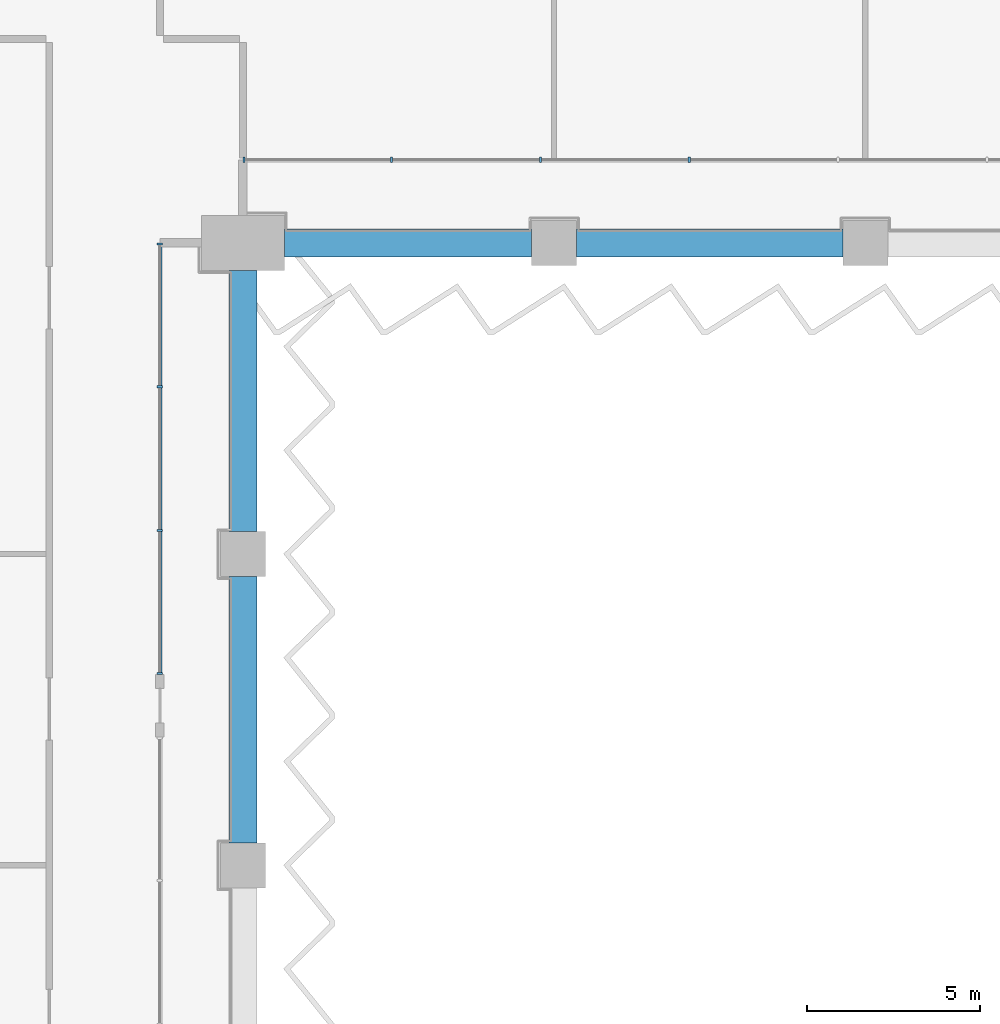
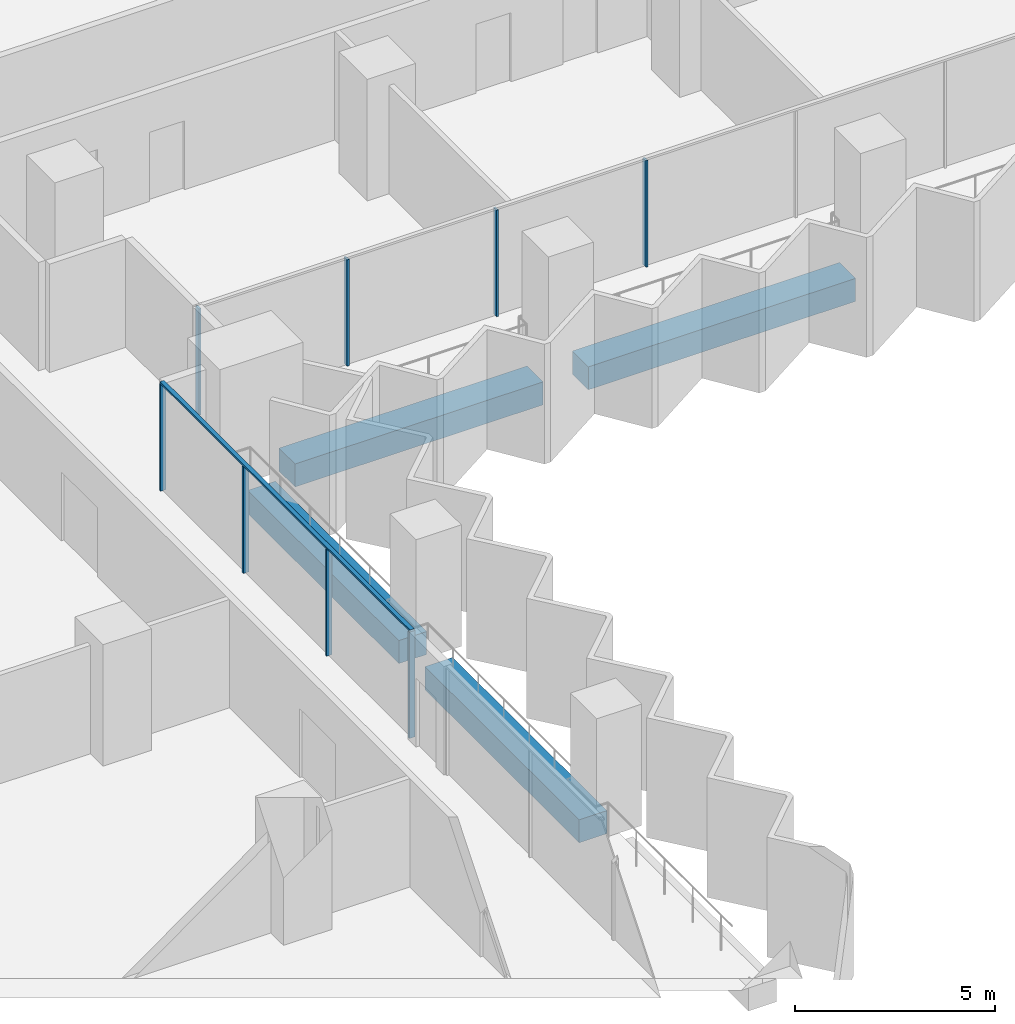
# One storey, part 4 of 28: 9 members, 4 beams, 2 elements without a shape of their own.
"""IFC4 building model written with IfcOpenShell, lengths in metres."""

from ifc_helpers import new_model, si_unit, direction, frame, origin, origin_2d, place, context, subcontext, project, spatial, rectangle, extrude, material, material_profile, profile_set, type_object, element, aggregate, save


model = new_model("IFC4")

# Units and contexts
model_context = context("Model", 3, precision=1e-05, world=origin(), true_north=direction((0.0, 1.0)))
body_context = subcontext(model_context, "Body", "Model", "MODEL_VIEW")
ifc_project = project(units=[si_unit("LENGTHUNIT", "METRE"), si_unit("AREAUNIT", "SQUARE_METRE"), si_unit("VOLUMEUNIT", "CUBIC_METRE"), si_unit("PLANEANGLEUNIT", "RADIAN"), si_unit("MASSUNIT", "GRAM", prefix="KILO")], contexts=[model_context])

# Site, building, storey
site_placement = place(None, origin())
site = spatial("IfcSite", under=ifc_project, at=site_placement, CompositionType="ELEMENT")
building_placement = place(site_placement, origin())
building = spatial("IfcBuilding", under=site, at=building_placement, Name="Hunhe Ridgeline Campus", CompositionType="ELEMENT")
storey_placement = place(building_placement, frame((0.0, 0.0, 72.800048828125)))
storey = spatial("IfcBuildingStorey", under=building, at=storey_placement, Name="L17", CompositionType="ELEMENT", Elevation=72.800048828125)

# Curtain wall, members
ifc_material_1 = material(Name="Aluminium 6063", Category="aluminium")
curtain_wall_type = type_object("IfcCurtainWallType", Name="Curtain wall CW-1", PredefinedType="NOTDEFINED", material=ifc_material_1)
curtain_wall_1_placement = place(storey_placement, origin())
curtain_wall_1 = element("IfcCurtainWall", 1, at=curtain_wall_1_placement, inside=storey, type_object=curtain_wall_type, Name="Curtain wall 12", PredefinedType="NOTDEFINED")
ifc_material_profile_1 = material_profile(ifc_material_1, rectangle(XDim=0.159912109375, YDim=0.06005859375, at=origin_2d()))
ifc_profile_set_1 = profile_set([ifc_material_profile_1], Name="Aluminium 6063")
member_type_1 = type_object("IfcMemberType", Name="CW-1 aluminium mullion", PredefinedType="MULLION", material=ifc_profile_set_1)
member_1_placement = place(storey_placement, frame((42.59912109375, 41.54833984375, 0.0), z_axis=(0.0, 0.0, 1.0), x_axis=(-1.0, 1.60239e-07, 0.0)))
member_1 = element("IfcMember", 2, at=member_1_placement, type_object=member_type_1, Name="CW-1 mullion 1", PredefinedType="MULLION", context=body_context, shape_type="SweptSolid", body=[
    extrude(rectangle(XDim=0.159912109375, YDim=0.06005859375, at=origin_2d()), origin(), (0.0, 0.0, 1.0), 3.239990234375),
])
member_2_placement = place(storey_placement, frame((42.59912109375, 45.678955078125, 0.0), z_axis=(0.0, 0.0, 1.0), x_axis=(-1.0, 1.60239e-07, 0.0)))
member_2 = element("IfcMember", 3, at=member_2_placement, type_object=member_type_1, Name="CW-1 mullion 2", PredefinedType="MULLION", context=body_context, shape_type="SweptSolid", body=[
    extrude(rectangle(XDim=0.159912109375, YDim=0.06005859375, at=origin_2d()), origin(), (0.0, 0.0, 1.0), 3.239990234375),
])
member_3_placement = place(storey_placement, frame((42.59912109375, 49.839599609375, 0.0), z_axis=(0.0, 0.0, 1.0), x_axis=(-1.0, 1.60239e-07, 0.0)))
member_3 = element("IfcMember", 4, at=member_3_placement, type_object=member_type_1, Name="CW-1 mullion 3", PredefinedType="MULLION", context=body_context, shape_type="SweptSolid", body=[
    extrude(rectangle(XDim=0.159912109375, YDim=0.06005859375, at=origin_2d()), origin(), (0.0, 0.0, 1.0), 3.239990234375),
])
member_4_placement = place(storey_placement, frame((42.59912109375, 53.97021484375, 0.0), z_axis=(0.0, 0.0, 1.0), x_axis=(-1.0, 1.60239e-07, 0.0)))
member_4 = element("IfcMember", 5, at=member_4_placement, type_object=member_type_1, Name="CW-1 mullion 4", PredefinedType="MULLION", context=body_context, shape_type="SweptSolid", body=[
    extrude(rectangle(XDim=0.159912109375, YDim=0.06005859375, at=origin_2d()), origin(), (0.0, 0.0, 1.0), 3.239990234375),
])

curtain_wall_2_placement = place(storey_placement, origin())
curtain_wall_2 = element("IfcCurtainWall", 6, at=curtain_wall_2_placement, inside=storey, type_object=curtain_wall_type, Name="Curtain wall 13", PredefinedType="NOTDEFINED")
member_5_placement = place(storey_placement, frame((45.029541015625, 56.40087890625, 0.0), z_axis=(0.0, 0.0, 1.0), x_axis=(-3.602063e-06, 0.999999999994, 0.0)))
member_5 = element("IfcMember", 7, at=member_5_placement, type_object=member_type_1, Name="CW-1 mullion 1", PredefinedType="MULLION", context=body_context, shape_type="SweptSolid", body=[
    extrude(rectangle(XDim=0.159912109375, YDim=0.06005859375, at=origin_2d()), origin(), (0.0, 0.0, 1.0), 3.239990234375),
])
member_6_placement = place(storey_placement, frame((49.302490234375, 56.40087890625, 0.0), z_axis=(0.0, 0.0, 1.0), x_axis=(-3.602063e-06, 0.999999999994, 0.0)))
member_6 = element("IfcMember", 8, at=member_6_placement, type_object=member_type_1, Name="CW-1 mullion 2", PredefinedType="MULLION", context=body_context, shape_type="SweptSolid", body=[
    extrude(rectangle(XDim=0.159912109375, YDim=0.06005859375, at=origin_2d()), origin(), (0.0, 0.0, 1.0), 3.239990234375),
])
member_7_placement = place(storey_placement, frame((53.605712890625, 56.40087890625, 0.0), z_axis=(0.0, 0.0, 1.0), x_axis=(-3.602063e-06, 0.999999999994, 0.0)))
member_7 = element("IfcMember", 9, at=member_7_placement, type_object=member_type_1, Name="CW-1 mullion 3", PredefinedType="MULLION", context=body_context, shape_type="SweptSolid", body=[
    extrude(rectangle(XDim=0.159912109375, YDim=0.06005859375, at=origin_2d()), origin(), (0.0, 0.0, 1.0), 3.239990234375),
])
member_8_placement = place(storey_placement, frame((57.90869140625, 56.40087890625, 0.0), z_axis=(0.0, 0.0, 1.0), x_axis=(-3.602063e-06, 0.999999999994, 0.0)))
member_8 = element("IfcMember", 10, at=member_8_placement, type_object=member_type_1, Name="CW-1 mullion 4", PredefinedType="MULLION", context=body_context, shape_type="SweptSolid", body=[
    extrude(rectangle(XDim=0.159912109375, YDim=0.06005859375, at=origin_2d()), origin(), (0.0, 0.0, 1.0), 3.239990234375),
])
aggregate(curtain_wall_2, [member_5, member_6, member_7, member_8])

# Member
ifc_material_profile_2 = material_profile(ifc_material_1, rectangle(XDim=0.1201171875, YDim=0.06005859375, at=origin_2d()))
ifc_profile_set_2 = profile_set([ifc_material_profile_2], Name="Aluminium 6063")
member_type_2 = type_object("IfcMemberType", Name="CW-1 aluminium transom", PredefinedType="USERDEFINED", material=ifc_profile_set_2)
member_9_placement = place(storey_placement, frame((42.59912109375, 41.518310546875, 3.27001953125), z_axis=(0.0, 1.0, 0.0), x_axis=(-1.0, 0.0, 0.0)))
member_9 = element("IfcMember", 11, at=member_9_placement, type_object=member_type_2, Name="CW-1 transom 1", ObjectType="TRANSOM", PredefinedType="USERDEFINED", context=body_context, shape_type="SweptSolid", body=[
    extrude(rectangle(XDim=0.1201171875, YDim=0.06005859375, at=origin_2d()), origin(), (0.0, 0.0, 1.0), 12.481689453125),
])

aggregate(curtain_wall_1, [member_9, member_1, member_2, member_3, member_4])

# Beams
ifc_material_2 = material(Name="Concrete C60", Category="concrete")
ifc_material_profile_3 = material_profile(ifc_material_2, rectangle(XDim=0.800048828125, YDim=0.699951171875, at=origin_2d()))
ifc_profile_set_3 = profile_set([ifc_material_profile_3], Name="Concrete C60")
beam_type = type_object("IfcBeamType", Name="RC spandrel beam 800x700 Concrete C60", PredefinedType="SPANDREL", material=ifc_profile_set_3)
beam_1_placement = place(storey_placement, frame((45.0, 36.64990234375, -0.60009765625), z_axis=(0.0, 1.0, 0.0), x_axis=(-1.0, 0.0, 0.0)))
element("IfcBeam", 12, at=beam_1_placement, inside=storey, type_object=beam_type, Name="Spandrel beam B1-10 L17", PredefinedType="SPANDREL", context=body_context, shape_type="SweptSolid", body=[
    extrude(rectangle(XDim=0.800048828125, YDim=0.699951171875, at=origin_2d()), origin(), (0.0, 0.0, 1.0), 7.7001953125),
])
beam_2_placement = place(storey_placement, frame((45.0, 45.64990234375, -0.60009765625), z_axis=(0.0, 1.0, 0.0), x_axis=(-1.0, 0.0, 0.0)))
element("IfcBeam", 13, at=beam_2_placement, inside=storey, type_object=beam_type, Name="Spandrel beam B1-11 L17", PredefinedType="SPANDREL", context=body_context, shape_type="SweptSolid", body=[
    extrude(rectangle(XDim=0.800048828125, YDim=0.699951171875, at=origin_2d()), origin(), (0.0, 0.0, 1.0), 7.550048828125),
])
beam_3_placement = place(storey_placement, frame((46.199951171875, 54.0, -0.60009765625), z_axis=(1.0, 0.0, 0.0), x_axis=(0.0, 1.0, 0.0)))
element("IfcBeam", 14, at=beam_3_placement, inside=storey, type_object=beam_type, Name="Spandrel beam B1-12 L17", PredefinedType="SPANDREL", context=body_context, shape_type="SweptSolid", body=[
    extrude(rectangle(XDim=0.800048828125, YDim=0.699951171875, at=origin_2d()), origin(), (0.0, 0.0, 1.0), 7.150146484375),
])
beam_4_placement = place(storey_placement, frame((54.64990234375, 54.0, -0.60009765625), z_axis=(1.0, 0.0, 0.0), x_axis=(0.0, 1.0, 0.0)))
element("IfcBeam", 15, at=beam_4_placement, inside=storey, type_object=beam_type, Name="Spandrel beam B1-13 L17", PredefinedType="SPANDREL", context=body_context, shape_type="SweptSolid", body=[
    extrude(rectangle(XDim=0.800048828125, YDim=0.699951171875, at=origin_2d()), origin(), (0.0, 0.0, 1.0), 7.7001953125),
])

save(model, "model.ifc")
